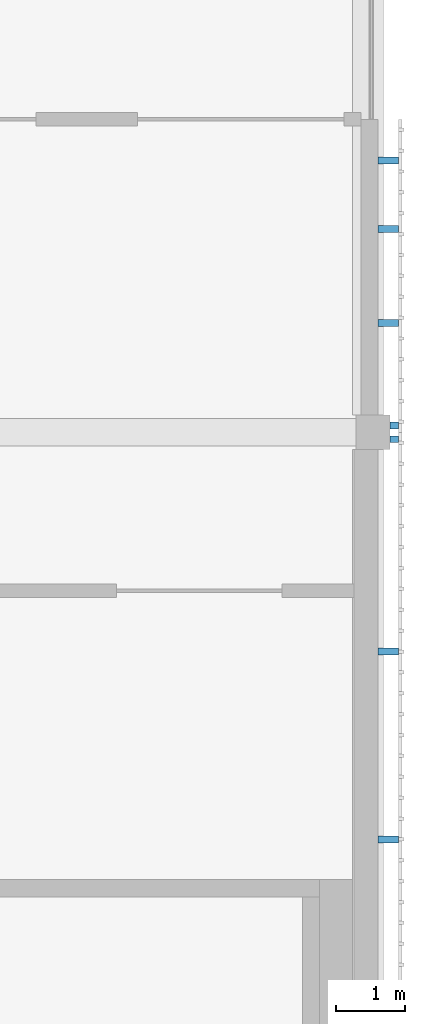
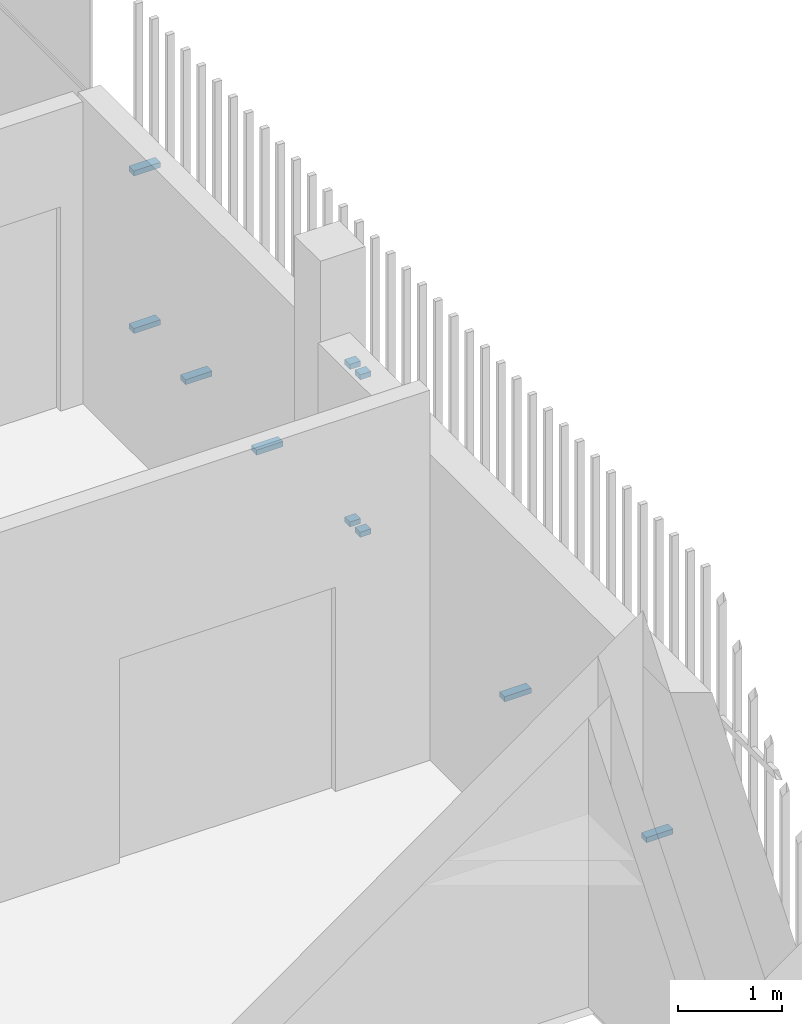
# One storey, part 71 of 91: 10 discrete accessories.
"""IFC4 building model written with IfcOpenShell, lengths in metres."""

from ifc_helpers import new_model, si_unit, direction, frame, origin, origin_2d, place, context, subcontext, project, spatial, rectangle, extrude, material, type_object, element, save


model = new_model("IFC4")

# Units and contexts
model_context = context("Model", 3, precision=1e-05, world=origin(), true_north=direction((0.0, 1.0)))
body_context = subcontext(model_context, "Body", "Model", "MODEL_VIEW")
ifc_project = project(units=[si_unit("LENGTHUNIT", "METRE"), si_unit("AREAUNIT", "SQUARE_METRE"), si_unit("VOLUMEUNIT", "CUBIC_METRE"), si_unit("PLANEANGLEUNIT", "RADIAN"), si_unit("MASSUNIT", "GRAM", prefix="KILO")], contexts=[model_context])

# Site, building, storey
site_placement = place(None, origin())
site = spatial("IfcSite", under=ifc_project, at=site_placement, CompositionType="ELEMENT")
building_placement = place(site_placement, origin())
building = spatial("IfcBuilding", under=site, at=building_placement, Name="Shirokan Park Arena", CompositionType="ELEMENT")
storey_placement = place(building_placement, frame((0.0, 0.0, 24.570068359375)))
storey = spatial("IfcBuildingStorey", under=building, at=storey_placement, Name="L05", CompositionType="ELEMENT", Elevation=24.570068359375)

# Discrete accessories
ifc_material = material(Name="Steel S355", Category="steel")
discrete_accessory_type = type_object("IfcDiscreteAccessoryType", Name="Veil bracket 100x60", PredefinedType="BRACKET", material=ifc_material)
for number, where, z_axis, x_axis, name in (
    (1, (145.985107421875, 36.300048828125, 1.06982421875), (0.0, 0.0, 1.0), (0.0, 1.0, 0.0), "Veil bracket east bay 4 L05 2"),
    (2, (145.985107421875, 36.300048828125, 2.919921875), (0.0, 0.0, 1.0), (0.0, 1.0, 0.0), "Veil bracket east bay 4 L05 4"),
):
    element("IfcDiscreteAccessory", number, at=place(storey_placement, frame(where, z_axis=z_axis, x_axis=x_axis)), inside=storey, type_object=discrete_accessory_type, Name=name, PredefinedType="BRACKET", context=body_context, shape_type="SweptSolid", body=[
        extrude(rectangle(XDim=0.10009765625, YDim=0.1201171875, at=origin_2d()), origin(), (0.0, 0.0, 1.0), 0.06005859375),
    ])
for number, where, z_axis, x_axis, name in (
    (3, (145.8974609375, 30.485107421875, 1.06982421875), (0.0, 0.0, 1.0), (0.0, 1.0, 0.0), "Veil bracket east bay 4 L05 wall 1"),
    (4, (145.8974609375, 33.215087890625, 1.06982421875), (0.0, 0.0, 1.0), (0.0, 1.0, 0.0), "Veil bracket east bay 4 L05 wall 2"),
):
    element("IfcDiscreteAccessory", number, at=place(storey_placement, frame(where, z_axis=z_axis, x_axis=x_axis)), inside=storey, type_object=discrete_accessory_type, Name=name, PredefinedType="BRACKET", context=body_context, shape_type="SweptSolid", body=[
        extrude(rectangle(XDim=0.10009765625, YDim=0.294921875, at=origin_2d()), origin(), (0.0, 0.0, 1.0), 0.06005859375),
    ])
discrete_accessory_1_placement = place(storey_placement, frame((145.985107421875, 36.5, 1.06982421875), z_axis=(0.0, 0.0, 1.0), x_axis=(0.0, 1.0, 0.0)))
element("IfcDiscreteAccessory", 5, at=discrete_accessory_1_placement, inside=storey, type_object=discrete_accessory_type, Name="Veil bracket east bay 5 L05 1", PredefinedType="BRACKET", context=body_context, shape_type="SweptSolid", body=[
    extrude(rectangle(XDim=0.10009765625, YDim=0.1201171875, at=origin_2d()), origin(), (0.0, 0.0, 1.0), 0.06005859375),
])
discrete_accessory_2_placement = place(storey_placement, frame((145.8974609375, 40.35009765625, 1.06982421875), z_axis=(0.0, 0.0, 1.0), x_axis=(0.0, 1.0, 0.0)))
element("IfcDiscreteAccessory", 6, at=discrete_accessory_2_placement, inside=storey, type_object=discrete_accessory_type, Name="Veil bracket east bay 5 L05 2", PredefinedType="BRACKET", context=body_context, shape_type="SweptSolid", body=[
    extrude(rectangle(XDim=0.10009765625, YDim=0.294921875, at=origin_2d()), origin(), (0.0, 0.0, 1.0), 0.06005859375),
])
discrete_accessory_3_placement = place(storey_placement, frame((145.985107421875, 36.5, 2.919921875), z_axis=(0.0, 0.0, 1.0), x_axis=(0.0, 1.0, 0.0)))
element("IfcDiscreteAccessory", 7, at=discrete_accessory_3_placement, inside=storey, type_object=discrete_accessory_type, Name="Veil bracket east bay 5 L05 3", PredefinedType="BRACKET", context=body_context, shape_type="SweptSolid", body=[
    extrude(rectangle(XDim=0.10009765625, YDim=0.1201171875, at=origin_2d()), origin(), (0.0, 0.0, 1.0), 0.06005859375),
])
for number, where, z_axis, x_axis, name in (
    (8, (145.8974609375, 40.35009765625, 2.919921875), (0.0, 0.0, 1.0), (0.0, 1.0, 0.0), "Veil bracket east bay 5 L05 4"),
    (9, (145.8974609375, 37.992431640625, 1.06982421875), (0.0, 0.0, 1.0), (0.0, 1.0, 0.0), "Veil bracket east bay 5 L05 wall 1"),
    (10, (145.8974609375, 39.357421875, 1.06982421875), (0.0, 0.0, 1.0), (0.0, 1.0, 0.0), "Veil bracket east bay 5 L05 wall 2"),
):
    element("IfcDiscreteAccessory", number, at=place(storey_placement, frame(where, z_axis=z_axis, x_axis=x_axis)), inside=storey, type_object=discrete_accessory_type, Name=name, PredefinedType="BRACKET", context=body_context, shape_type="SweptSolid", body=[
        extrude(rectangle(XDim=0.10009765625, YDim=0.294921875, at=origin_2d()), origin(), (0.0, 0.0, 1.0), 0.06005859375),
    ])

save(model, "model.ifc")
